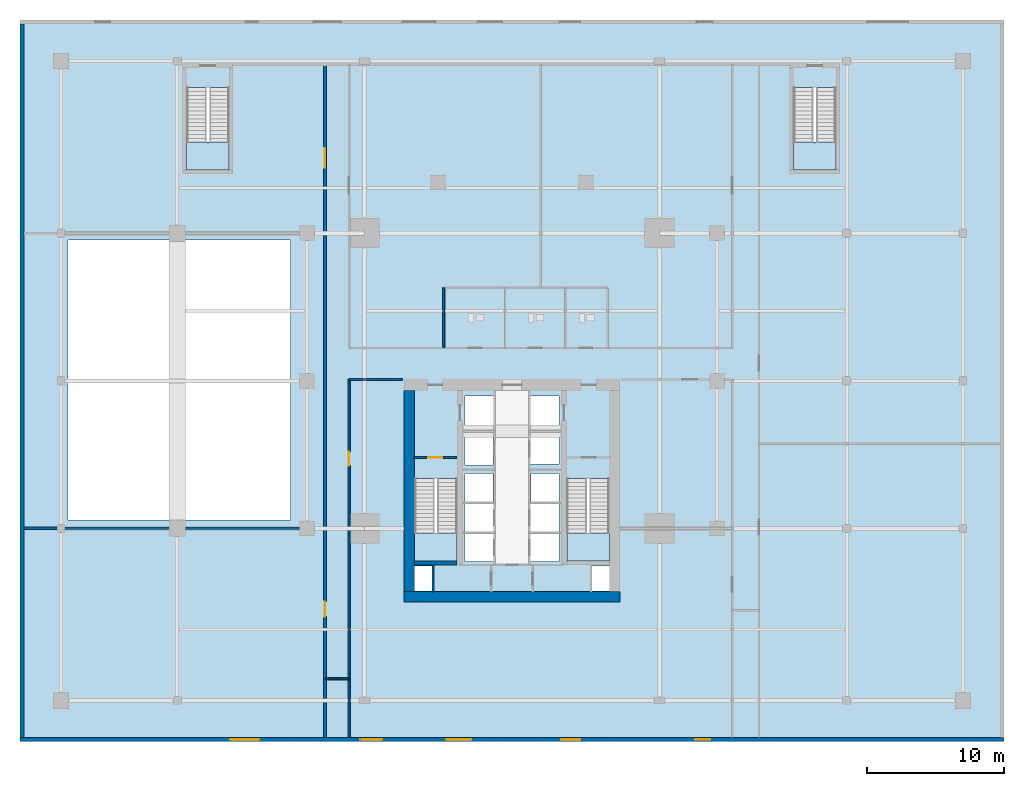
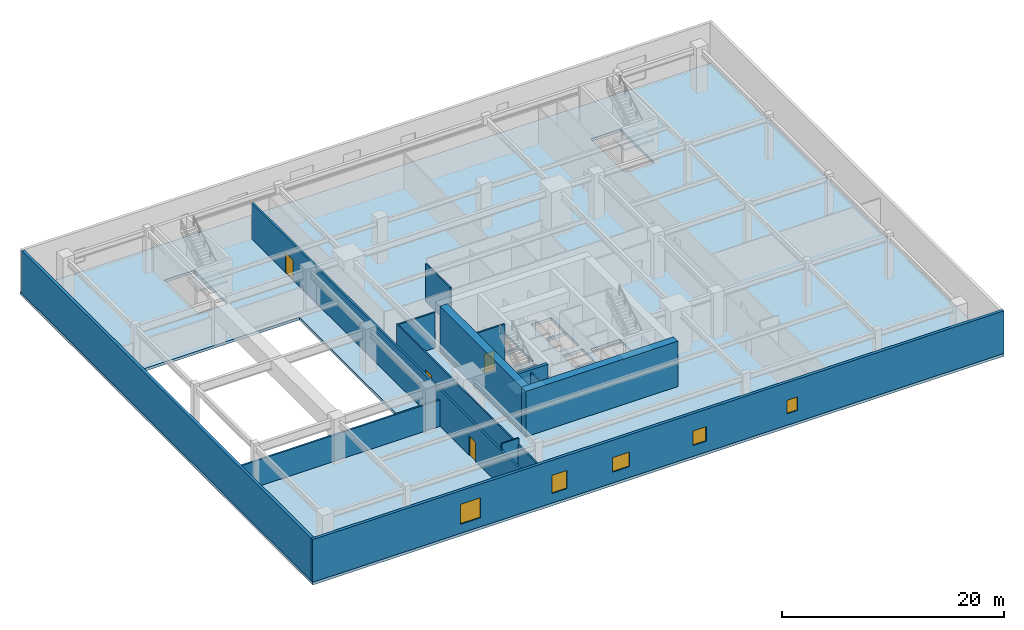
# One storey, part 2 of 9: 13 walls, 5 slabs, 5 windows, 4 doors, 9 openings, 4 elements without a shape of their own.
"""IFC4 building model written with IfcOpenShell, lengths in metres."""

from ifc_helpers import new_model, si_unit, direction, frame, frame_2d, origin, place, context, subcontext, project, spatial, polyline, rectangle, outline, extrude, material, layer, layer_set, type_object, element, fill, aggregate, save


model = new_model("IFC4")

# Units and contexts
model_context = context("Model", 3, precision=1e-05, world=origin(), true_north=direction((0.0, 1.0)))
body_context = subcontext(model_context, "Body", "Model", "MODEL_VIEW")
ifc_project = project(units=[si_unit("LENGTHUNIT", "METRE"), si_unit("AREAUNIT", "SQUARE_METRE"), si_unit("VOLUMEUNIT", "CUBIC_METRE"), si_unit("PLANEANGLEUNIT", "RADIAN"), si_unit("MASSUNIT", "GRAM", prefix="KILO")], contexts=[model_context])

# Site, building, storey
site_placement = place(None, origin())
site = spatial("IfcSite", under=ifc_project, at=site_placement, CompositionType="ELEMENT")
building_placement = place(site_placement, origin())
building = spatial("IfcBuilding", under=site, at=building_placement, Name="Krantzveldt Concourse Tower", CompositionType="ELEMENT")
storey_placement = place(building_placement, frame((0.0, 0.0, 10.39990234375)))
storey = spatial("IfcBuildingStorey", under=building, at=storey_placement, Name="L02", CompositionType="ELEMENT", Elevation=10.39990234375)

# Stair, slab
ifc_material_1 = material(Name="Precast concrete C40/50", Category="concrete")
stair_type = type_object("IfcStairType", Name="STR-CORE-DOGLEG", PredefinedType="HALF_TURN_STAIR", material=ifc_material_1)
stair_1_placement = place(storey_placement, origin())
stair_1 = element("IfcStair", 1, at=stair_1_placement, inside=storey, type_object=stair_type, Name="L02 Protected Escape Stair ST-1", PredefinedType="HALF_TURN_STAIR")
ifc_layer_1 = layer(ifc_material_1, 0.199951171875, Name="Precast concrete C40/50", Category="concrete")
ifc_layer_set_1 = layer_set([ifc_layer_1], Name="Precast concrete C40/50 (SL-LANDING-200)")
slab_type_1 = type_object("IfcSlabType", Name="SL-LANDING-200", PredefinedType="LANDING", material=ifc_layer_set_1)
slab_1_placement = place(storey_placement, frame((0.0, 0.0, 2.300048828125)))
slab_1 = element("IfcSlab", 2, at=slab_1_placement, type_object=slab_type_1, Name="ST-1 landing 1", PredefinedType="LANDING", context=body_context, shape_type="SweptSolid", body=[
    extrude(outline(polyline([(28.8798828125, 15.56005859375), (28.8798828125, 13.52001953125), (31.97998046875, 13.52001953125), (31.97998046875, 15.56005859375), (28.8798828125, 15.56005859375)])), origin(), (0.0, 0.0, 1.0), 0.199951171875),
])
aggregate(stair_1, [slab_1])

stair_2_placement = place(storey_placement, origin())
stair_2 = element("IfcStair", 3, at=stair_2_placement, inside=storey, type_object=stair_type, Name="L02 Protected Escape Stair ST-2", PredefinedType="HALF_TURN_STAIR")
slab_2_placement = place(storey_placement, frame((0.0, 0.0, 2.300048828125)))
slab_2 = element("IfcSlab", 4, at=slab_2_placement, type_object=slab_type_1, Name="ST-2 landing 1", PredefinedType="LANDING", context=body_context, shape_type="SweptSolid", body=[
    extrude(outline(polyline([(40.02001953125, 15.56005859375), (40.02001953125, 13.52001953125), (43.1201171875, 13.52001953125), (43.1201171875, 15.56005859375), (40.02001953125, 15.56005859375)])), origin(), (0.0, 0.0, 1.0), 0.199951171875),
])
aggregate(stair_2, [slab_2])

stair_3_placement = place(storey_placement, origin())
stair_3 = element("IfcStair", 5, at=stair_3_placement, inside=storey, type_object=stair_type, Name="L02 Podium Escape Stair ST-3", PredefinedType="HALF_TURN_STAIR")
slab_3_placement = place(storey_placement, frame((0.0, 0.0, 2.300048828125)))
slab_3 = element("IfcSlab", 6, at=slab_3_placement, type_object=slab_type_1, Name="ST-3 landing 1", PredefinedType="LANDING", context=body_context, shape_type="SweptSolid", body=[
    extrude(outline(polyline([(12.199951171875, 44.159912109375), (12.199951171875, 42.1201171875), (15.300048828125, 42.1201171875), (15.300048828125, 44.159912109375), (12.199951171875, 44.159912109375)])), origin(), (0.0, 0.0, 1.0), 0.199951171875),
])
aggregate(stair_3, [slab_3])

stair_4_placement = place(storey_placement, origin())
stair_4 = element("IfcStair", 7, at=stair_4_placement, inside=storey, type_object=stair_type, Name="L02 Podium Escape Stair ST-4", PredefinedType="HALF_TURN_STAIR")
slab_4_placement = place(storey_placement, frame((0.0, 0.0, 2.300048828125)))
slab_4 = element("IfcSlab", 8, at=slab_4_placement, type_object=slab_type_1, Name="ST-4 landing 1", PredefinedType="LANDING", context=body_context, shape_type="SweptSolid", body=[
    extrude(outline(polyline([(56.60009765625, 44.159912109375), (56.60009765625, 42.1201171875), (59.699951171875, 42.1201171875), (59.699951171875, 44.159912109375), (56.60009765625, 44.159912109375)])), origin(), (0.0, 0.0, 1.0), 0.199951171875),
])
aggregate(stair_4, [slab_4])

# Slab
ifc_material_2 = material(Name="Concrete C40/50", Category="concrete")
ifc_layer_2 = layer(ifc_material_2, 0.300048828125, Name="Concrete C40/50", Category="concrete")
ifc_layer_set_2 = layer_set([ifc_layer_2], Name="Concrete C40/50 (SL-SL-POD300)")
slab_type_2 = type_object("IfcSlabType", Name="SL-SL-POD300", PredefinedType="FLOOR", material=ifc_layer_set_2)
slab_5_placement = place(storey_placement, frame((0.0, 0.0, -0.2998046875)))
element("IfcSlab", 9, at=slab_5_placement, inside=storey, type_object=slab_type_2, Name="SL-L02-MAIN", PredefinedType="FLOOR", context=body_context, shape_type="SweptSolid", body=[
    extrude(outline(polyline([(0.0, 0.300048828125), (72.0, 0.300048828125), (72.0, 53.10009765625), (0.0, 53.10009765625), (0.0, 0.300048828125)]), holes=[polyline([(28.8798828125, 19.547607421875), (28.8798828125, 13.52001953125), (31.97998046875, 13.52001953125), (31.97998046875, 19.547607421875), (28.8798828125, 19.547607421875)]), polyline([(40.02001953125, 19.547607421875), (40.02001953125, 13.52001953125), (43.1201171875, 13.52001953125), (43.1201171875, 19.547607421875), (40.02001953125, 19.547607421875)]), polyline([(12.199951171875, 48.1474609375), (12.199951171875, 42.1201171875), (15.300048828125, 42.1201171875), (15.300048828125, 48.1474609375), (12.199951171875, 48.1474609375)]), polyline([(56.60009765625, 48.1474609375), (56.60009765625, 42.1201171875), (59.699951171875, 42.1201171875), (59.699951171875, 48.1474609375), (56.60009765625, 48.1474609375)]), polyline([(32.550048828125, 23.10009765625), (34.64990234375, 23.10009765625), (34.64990234375, 25.60009765625), (32.550048828125, 25.60009765625), (32.550048828125, 23.10009765625)]), polyline([(37.35009765625, 23.10009765625), (39.449951171875, 23.10009765625), (39.449951171875, 25.60009765625), (37.35009765625, 25.60009765625), (37.35009765625, 23.10009765625)]), polyline([(37.35009765625, 20.60009765625), (39.449951171875, 20.60009765625), (39.449951171875, 22.89990234375), (37.35009765625, 22.89990234375), (37.35009765625, 20.60009765625)]), polyline([(32.550048828125, 13.47998046875), (34.64990234375, 13.47998046875), (34.64990234375, 15.47998046875), (32.550048828125, 15.47998046875), (32.550048828125, 13.47998046875)]), polyline([(32.550048828125, 15.679931640625), (34.64990234375, 15.679931640625), (34.64990234375, 17.679931640625), (32.550048828125, 17.679931640625), (32.550048828125, 15.679931640625)]), polyline([(37.35009765625, 13.47998046875), (39.449951171875, 13.47998046875), (39.449951171875, 15.47998046875), (37.35009765625, 15.47998046875), (37.35009765625, 13.47998046875)]), polyline([(37.35009765625, 15.679931640625), (39.449951171875, 15.679931640625), (39.449951171875, 17.679931640625), (37.35009765625, 17.679931640625), (37.35009765625, 15.679931640625)]), polyline([(32.550048828125, 20.550048828125), (34.6201171875, 20.550048828125), (34.6201171875, 22.89990234375), (32.550048828125, 22.89990234375), (32.550048828125, 20.550048828125)]), polyline([(32.550048828125, 17.8798828125), (34.6201171875, 17.8798828125), (34.6201171875, 19.919921875), (32.550048828125, 19.919921875), (32.550048828125, 17.8798828125)]), polyline([(37.3798828125, 17.8798828125), (39.449951171875, 17.8798828125), (39.449951171875, 19.919921875), (37.3798828125, 19.919921875), (37.3798828125, 17.8798828125)]), polyline([(28.8798828125, 11.320068359375), (30.139892578125, 11.320068359375), (30.139892578125, 13.159912109375), (28.8798828125, 13.159912109375), (28.8798828125, 11.320068359375)]), polyline([(41.860107421875, 11.320068359375), (43.1201171875, 11.320068359375), (43.1201171875, 13.159912109375), (41.860107421875, 13.159912109375), (41.860107421875, 11.320068359375)]), polyline([(3.5, 16.5), (19.800048828125, 16.5), (19.800048828125, 37.0), (3.5, 37.0), (3.5, 16.5)])]), origin(), (0.0, 0.0, 1.0), 0.2998046875),
])

# Wall, openings, windows
ifc_layer_3 = layer(ifc_material_2, 0.300048828125, Name="Concrete C40/50", Category="concrete")
ifc_layer_set_3 = layer_set([ifc_layer_3], Name="Concrete C40/50 (WL-EXT-GRAN300)")
wall_type_1 = type_object("IfcWallType", Name="WL-EXT-GRAN300", PredefinedType="SOLIDWALL", material=ifc_layer_set_3)
wall_1_placement = place(storey_placement, frame((72.0, 0.449951171875, 0.0), z_axis=(0.0, 0.0, 1.0), x_axis=(-1.0, 0.0, 0.0)))
wall_1 = element("IfcWall", 10, at=wall_1_placement, inside=storey, type_object=wall_type_1, Name="EW-L02-S", PredefinedType="SOLIDWALL", context=body_context, shape_type="SweptSolid", body=[
    extrude(rectangle(XDim=72.0, YDim=0.300048828125, at=frame_2d((36.0, 0.0))), origin(), (0.0, 0.0, 1.0), 4.7001953125),
])
opening_1_placement = place(wall_1_placement, frame((54.5, 0.0, 1.0)))
opening_1 = element("IfcOpeningElement", 11, at=opening_1_placement, cuts=wall_1, Name="Opening W-POD-2100x2200", PredefinedType="OPENING", context=body_context, shape_type="SweptSolid", body=[
    extrude(rectangle(XDim=2.10009765625, YDim=2.199951171875, at=frame_2d((1.050048828125, 1.10009765625))), frame((0.0, 0.16015625, 0.0), z_axis=(0.0, -1.0, 0.0), x_axis=(1.0, 0.0, 0.0)), (0.0, 0.0, 1.0), 0.320068359375),
])
opening_2_placement = place(wall_1_placement, frame((45.5, 0.0, 1.050048828125)))
opening_2 = element("IfcOpeningElement", 12, at=opening_2_placement, cuts=wall_1, Name="Opening W-POD-1600x2000", PredefinedType="OPENING", context=body_context, shape_type="SweptSolid", body=[
    extrude(rectangle(XDim=1.60009765625, YDim=2.0, at=frame_2d((0.800048828125, 1.0))), frame((0.0, 0.16015625, 0.0), z_axis=(0.0, -1.0, 0.0), x_axis=(1.0, 0.0, 0.0)), (0.0, 0.0, 1.0), 0.320068359375),
])
opening_3_placement = place(wall_1_placement, frame((39.0, 0.0, 1.199951171875)))
opening_3 = element("IfcOpeningElement", 13, at=opening_3_placement, cuts=wall_1, Name="Opening W-POD-1800x1600", PredefinedType="OPENING", context=body_context, shape_type="SweptSolid", body=[
    extrude(rectangle(XDim=1.800048828125, YDim=1.60009765625, at=frame_2d((0.89990234375, 0.800048828125))), frame((0.0, 0.16015625, 0.0), z_axis=(0.0, -1.0, 0.0), x_axis=(1.0, 0.0, 0.0)), (0.0, 0.0, 1.0), 0.320068359375),
])
opening_4_placement = place(wall_1_placement, frame((31.0, 0.0, 1.199951171875)))
opening_4 = element("IfcOpeningElement", 14, at=opening_4_placement, cuts=wall_1, Name="Opening W-POD-1400x1600", PredefinedType="OPENING", context=body_context, shape_type="SweptSolid", body=[
    extrude(rectangle(XDim=1.39990234375, YDim=1.60009765625, at=frame_2d((0.699951171875, 0.800048828125))), frame((0.0, 0.16015625, 0.0), z_axis=(0.0, -1.0, 0.0), x_axis=(1.0, 0.0, 0.0)), (0.0, 0.0, 1.0), 0.320068359375),
])
opening_5_placement = place(wall_1_placement, frame((21.5, 0.0, 1.25)))
opening_5 = element("IfcOpeningElement", 15, at=opening_5_placement, cuts=wall_1, Name="Opening W-POD-1100x1500", PredefinedType="OPENING", context=body_context, shape_type="SweptSolid", body=[
    extrude(rectangle(XDim=1.10009765625, YDim=1.5, at=frame_2d((0.550048828125, 0.75))), frame((0.0, 0.16015625, 0.0), z_axis=(0.0, -1.0, 0.0), x_axis=(1.0, 0.0, 0.0)), (0.0, 0.0, 1.0), 0.320068359375),
])
ifc_material_3 = material(Name="Bronze-tinted laminated low-E IGU glass", Category="glass")
window_type_1 = type_object("IfcWindowType", Name="WN-POD-1100x1500", PartitioningType="SINGLE_PANEL", PredefinedType="WINDOW", material=ifc_material_3)
window_1_placement = place(opening_5_placement, origin())
window_1 = element("IfcWindow", 16, at=window_1_placement, inside=storey, type_object=window_type_1, Name="WN-L02-S05", OverallHeight=1.5, OverallWidth=1.10009765625, PartitioningType="SINGLE_PANEL", PredefinedType="WINDOW", context=body_context, shape_type="SweptSolid", body=[
    extrude(rectangle(XDim=1.10009765625, YDim=1.5, at=frame_2d((0.550048828125, 0.75))), frame((0.0, 0.030029296875, 0.0), z_axis=(0.0, -1.0, 0.0), x_axis=(1.0, 0.0, 0.0)), (0.0, 0.0, 1.0), 0.06005859375),
])
fill(opening_5, window_1)
window_type_2 = type_object("IfcWindowType", Name="WN-POD-1400x1600", PartitioningType="SINGLE_PANEL", PredefinedType="WINDOW", material=ifc_material_3)
window_2_placement = place(opening_4_placement, origin())
window_2 = element("IfcWindow", 17, at=window_2_placement, inside=storey, type_object=window_type_2, Name="WN-L02-S04", OverallHeight=1.60009765625, OverallWidth=1.39990234375, PartitioningType="SINGLE_PANEL", PredefinedType="WINDOW", context=body_context, shape_type="SweptSolid", body=[
    extrude(rectangle(XDim=1.39990234375, YDim=1.60009765625, at=frame_2d((0.699951171875, 0.800048828125))), frame((0.0, 0.030029296875, 0.0), z_axis=(0.0, -1.0, 0.0), x_axis=(1.0, 0.0, 0.0)), (0.0, 0.0, 1.0), 0.06005859375),
])
fill(opening_4, window_2)
window_type_3 = type_object("IfcWindowType", Name="WN-POD-1600x2000", PartitioningType="SINGLE_PANEL", PredefinedType="WINDOW", material=ifc_material_3)
window_3_placement = place(opening_2_placement, origin())
window_3 = element("IfcWindow", 18, at=window_3_placement, inside=storey, type_object=window_type_3, Name="WN-L02-S02", OverallHeight=2.0, OverallWidth=1.60009765625, PartitioningType="SINGLE_PANEL", PredefinedType="WINDOW", context=body_context, shape_type="SweptSolid", body=[
    extrude(rectangle(XDim=1.60009765625, YDim=2.0, at=frame_2d((0.800048828125, 1.0))), frame((0.0, 0.030029296875, 0.0), z_axis=(0.0, -1.0, 0.0), x_axis=(1.0, 0.0, 0.0)), (0.0, 0.0, 1.0), 0.06005859375),
])
fill(opening_2, window_3)
window_type_4 = type_object("IfcWindowType", Name="WN-POD-1800x1600", PartitioningType="SINGLE_PANEL", PredefinedType="WINDOW", material=ifc_material_3)
window_4_placement = place(opening_3_placement, origin())
window_4 = element("IfcWindow", 19, at=window_4_placement, inside=storey, type_object=window_type_4, Name="WN-L02-S03", OverallHeight=1.60009765625, OverallWidth=1.800048828125, PartitioningType="SINGLE_PANEL", PredefinedType="WINDOW", context=body_context, shape_type="SweptSolid", body=[
    extrude(rectangle(XDim=1.800048828125, YDim=1.60009765625, at=frame_2d((0.89990234375, 0.800048828125))), frame((0.0, 0.030029296875, 0.0), z_axis=(0.0, -1.0, 0.0), x_axis=(1.0, 0.0, 0.0)), (0.0, 0.0, 1.0), 0.06005859375),
])
fill(opening_3, window_4)
window_type_5 = type_object("IfcWindowType", Name="WN-POD-2100x2200", PartitioningType="SINGLE_PANEL", PredefinedType="WINDOW", material=ifc_material_3)
window_5_placement = place(opening_1_placement, origin())
window_5 = element("IfcWindow", 20, at=window_5_placement, inside=storey, type_object=window_type_5, Name="WN-L02-S01", OverallHeight=2.199951171875, OverallWidth=2.10009765625, PartitioningType="SINGLE_PANEL", PredefinedType="WINDOW", context=body_context, shape_type="SweptSolid", body=[
    extrude(rectangle(XDim=2.10009765625, YDim=2.199951171875, at=frame_2d((1.050048828125, 1.10009765625))), frame((0.0, 0.030029296875, 0.0), z_axis=(0.0, -1.0, 0.0), x_axis=(1.0, 0.0, 0.0)), (0.0, 0.0, 1.0), 0.06005859375),
])
fill(opening_1, window_5)

# Walls
wall_2_placement = place(storey_placement, frame((0.14990234375, 0.60009765625, 0.0), z_axis=(0.0, 0.0, 1.0), x_axis=(0.0, 1.0, 0.0)))
element("IfcWall", 21, at=wall_2_placement, inside=storey, type_object=wall_type_1, Name="EW-L02-W", PredefinedType="SOLIDWALL", context=body_context, shape_type="SweptSolid", body=[
    extrude(rectangle(XDim=52.199951171875, YDim=0.300048828125, at=frame_2d((26.10009765625, 0.0))), origin(), (0.0, 0.0, 1.0), 4.7001953125),
])
ifc_material_4 = material(Name="Fire-rated gypsum plasterboard on steel stud", Category="steel")
ifc_layer_4 = layer(ifc_material_4, 0.139892578125, Name="Fire-rated gypsum plasterboard on steel stud", Category="steel")
ifc_layer_set_4 = layer_set([ifc_layer_4], Name="Fire-rated gypsum plasterboard on steel stud (WL-PART-140)")
wall_type_2 = type_object("IfcWallType", Name="WL-PART-140", PredefinedType="PARTITIONING", material=ifc_layer_set_4)
wall_3_placement = place(storey_placement, frame((31.0, 29.10009765625, 0.0), z_axis=(0.0, 0.0, 1.0), x_axis=(0.0, 1.0, 0.0)))
element("IfcWall", 22, at=wall_3_placement, inside=storey, type_object=wall_type_2, Name="WP-L02-WCW", PredefinedType="PARTITIONING", context=body_context, shape_type="SweptSolid", body=[
    extrude(rectangle(XDim=4.39990234375, YDim=0.139892578125, at=frame_2d((2.199951171875, 0.0))), origin(), (0.0, 0.0, 1.0), 4.150146484375),
])

# Wall, opening, door
wall_4_placement = place(storey_placement, frame((24.080078125, 0.60498046875, 0.0), z_axis=(0.0, 0.0, 1.0), x_axis=(0.0, 1.0, 0.0)))
wall_4 = element("IfcWall", 23, at=wall_4_placement, inside=storey, type_object=wall_type_2, Name="WP-L02-SWL", PredefinedType="PARTITIONING", context=body_context, shape_type="SweptSolid", body=[
    extrude(rectangle(XDim=26.195068359375, YDim=0.139892578125, at=frame_2d((13.09765625, 0.0))), origin(), (0.0, 0.0, 1.0), 4.0),
])
opening_6_placement = place(wall_4_placement, frame((19.8701171875, 0.0, 0.0)))
opening_6 = element("IfcOpeningElement", 24, at=opening_6_placement, cuts=wall_4, Name="Opening D-IN105", PredefinedType="OPENING", context=body_context, shape_type="SweptSolid", body=[
    extrude(rectangle(XDim=1.050048828125, YDim=2.14990234375, at=frame_2d((0.52490234375, 1.074951171875))), frame((0.0, 0.080078125, 0.0), z_axis=(0.0, -1.0, 0.0), x_axis=(1.0, 0.0, 0.0)), (0.0, 0.0, 1.0), 0.159912109375),
])
ifc_material_5 = material(Name="Hardwood timber", Category="wood")
door_type_1 = type_object("IfcDoorType", Name="DR-INT-1050", OperationType="SINGLE_SWING_LEFT", PredefinedType="DOOR", material=ifc_material_5)
door_1_placement = place(opening_6_placement, origin())
door_1 = element("IfcDoor", 25, at=door_1_placement, inside=storey, type_object=door_type_1, Name="DR-L02-SWK", OperationType="SINGLE_SWING_RIGHT", OverallHeight=2.14990234375, OverallWidth=1.050048828125, PredefinedType="DOOR", context=body_context, shape_type="SweptSolid", body=[
    extrude(rectangle(XDim=1.050048828125, YDim=2.14990234375, at=frame_2d((0.52490234375, 1.074951171875))), frame((0.0, 0.02490234375, 0.0), z_axis=(0.0, -1.0, 0.0), x_axis=(1.0, 0.0, 0.0)), (0.0, 0.0, 1.0), 0.050048828125),
])
fill(opening_6, door_1)

# Walls
wall_5_placement = place(storey_placement, frame((22.320068359375, 4.89990234375, 0.0), z_axis=(0.0, 0.0, 1.0), x_axis=(1.0, 0.0, 0.0)))
element("IfcWall", 26, at=wall_5_placement, inside=storey, type_object=wall_type_2, Name="WP-L02-SWB", PredefinedType="PARTITIONING", context=body_context, shape_type="SweptSolid", body=[
    extrude(rectangle(XDim=1.760009765625, YDim=0.139892578125, at=frame_2d((0.8798828125, 0.0))), origin(), (0.0, 0.0, 1.0), 4.7001953125),
])
ifc_layer_5 = layer(ifc_material_4, 0.159912109375, Name="Fire-rated gypsum plasterboard on steel stud", Category="steel")
ifc_layer_set_5 = layer_set([ifc_layer_5], Name="Fire-rated gypsum plasterboard on steel stud (WL-PART-160)")
wall_type_3 = type_object("IfcWallType", Name="WL-PART-160", PredefinedType="PARTITIONING", material=ifc_layer_set_5)
wall_6_placement = place(storey_placement, frame((24.080078125, 26.800048828125, 0.0), z_axis=(0.0, 0.0, 1.0), x_axis=(1.0, 0.0, 0.0)))
element("IfcWall", 27, at=wall_6_placement, inside=storey, type_object=wall_type_3, Name="WP-L02-S1", PredefinedType="PARTITIONING", context=body_context, shape_type="SweptSolid", body=[
    extrude(rectangle(XDim=3.919921875, YDim=0.159912109375, at=frame_2d((1.9599609375, 0.0))), origin(), (0.0, 0.0, 1.0), 3.900146484375),
])
ifc_layer_6 = layer(ifc_material_4, 0.139892578125, Name="Fire-rated gypsum plasterboard on steel stud", Category="steel")
ifc_layer_set_6 = layer_set([ifc_layer_6], Name="Fire-rated gypsum plasterboard on steel stud (WL-PART-FR140)")
wall_type_4 = type_object("IfcWallType", Name="WL-PART-FR140", PredefinedType="PARTITIONING", material=ifc_layer_set_6)
wall_7_placement = place(storey_placement, frame((30.219970703125, 11.25, 0.0), z_axis=(0.0, 0.0, 1.0), x_axis=(0.0, 1.0, 0.0)))
element("IfcWall", 28, at=wall_7_placement, inside=storey, type_object=wall_type_4, Name="WP-L02-RSW", PredefinedType="PARTITIONING", context=body_context, shape_type="SweptSolid", body=[
    extrude(rectangle(XDim=1.969970703125, YDim=0.1201171875, at=frame_2d((0.98486328125, 0.0))), origin(), (0.0, 0.0, 1.0), 4.7001953125),
])

# Wall, opening, door
ifc_layer_7 = layer(ifc_material_4, 0.159912109375, Name="Fire-rated gypsum plasterboard on steel stud", Category="steel")
ifc_layer_set_7 = layer_set([ifc_layer_7], Name="Fire-rated gypsum plasterboard on steel stud (WL-PART-FR160)")
wall_type_5 = type_object("IfcWallType", Name="WL-PART-FR160", PredefinedType="PARTITIONING", material=ifc_layer_set_7)
wall_8_placement = place(storey_placement, frame((28.800048828125, 21.080078125, 0.0), z_axis=(0.0, 0.0, 1.0), x_axis=(1.0, 0.0, 0.0)))
wall_8 = element("IfcWall", 29, at=wall_8_placement, inside=storey, type_object=wall_type_5, Name="WP-L02-ST1", PredefinedType="PARTITIONING", context=body_context, shape_type="SweptSolid", body=[
    extrude(rectangle(XDim=3.159912109375, YDim=0.159912109375, at=frame_2d((1.580078125, 0.0))), origin(), (0.0, 0.0, 1.0), 4.7001953125),
])
opening_7_placement = place(wall_8_placement, frame((1.054931640625, 0.0, 0.0)))
opening_7 = element("IfcOpeningElement", 30, at=opening_7_placement, cuts=wall_8, Name="Opening D-FD105", PredefinedType="OPENING", context=body_context, shape_type="SweptSolid", body=[
    extrude(rectangle(XDim=1.050048828125, YDim=2.10009765625, at=frame_2d((0.52490234375, 1.050048828125))), frame((0.0, 0.08984375, 0.0), z_axis=(0.0, -1.0, 0.0), x_axis=(1.0, 0.0, 0.0)), (0.0, 0.0, 1.0), 0.179931640625),
])
ifc_material_6 = material(Name="Galvanised steel", Category="steel")
door_type_2 = type_object("IfcDoorType", Name="DR-FD120-1050", OperationType="SINGLE_SWING_LEFT", PredefinedType="DOOR", material=ifc_material_6)
door_2_placement = place(opening_7_placement, origin())
door_2 = element("IfcDoor", 31, at=door_2_placement, inside=storey, type_object=door_type_2, Name="DR-L02-ST1", OperationType="SINGLE_SWING_RIGHT", OverallHeight=2.10009765625, OverallWidth=1.050048828125, PredefinedType="DOOR", context=body_context, shape_type="SweptSolid", body=[
    extrude(rectangle(XDim=1.050048828125, YDim=2.10009765625, at=frame_2d((0.52490234375, 1.050048828125))), frame((0.0, 0.02490234375, 0.0), z_axis=(0.0, -1.0, 0.0), x_axis=(1.0, 0.0, 0.0)), (0.0, 0.0, 1.0), 0.050048828125),
])
fill(opening_7, door_2)

# Wall
ifc_layer_8 = layer(ifc_material_4, 0.179931640625, Name="Fire-rated gypsum plasterboard on steel stud", Category="steel")
ifc_layer_set_8 = layer_set([ifc_layer_8], Name="Fire-rated gypsum plasterboard on steel stud (WL-PART-FR180)")
wall_type_6 = type_object("IfcWallType", Name="WL-PART-FR180", PredefinedType="PARTITIONING", material=ifc_layer_set_8)
wall_9_placement = place(storey_placement, frame((0.304931640625, 15.89990234375, 0.0), z_axis=(0.0, 0.0, 1.0), x_axis=(1.0, 0.0, 0.0)))
element("IfcWall", 32, at=wall_9_placement, inside=storey, type_object=wall_type_6, Name="WP-L02-AVN", PredefinedType="PARTITIONING", context=body_context, shape_type="SweptSolid", body=[
    extrude(rectangle(XDim=22.01513671875, YDim=0.179931640625, at=frame_2d((11.007568359375, 0.0))), origin(), (0.0, 0.0, 1.0), 2.900146484375),
])

# Wall, openings, doors
ifc_layer_9 = layer(ifc_material_4, 0.199951171875, Name="Fire-rated gypsum plasterboard on steel stud", Category="steel")
ifc_layer_set_9 = layer_set([ifc_layer_9], Name="Fire-rated gypsum plasterboard on steel stud (WL-PART-FR200)")
wall_type_7 = type_object("IfcWallType", Name="WL-PART-FR200", PredefinedType="PARTITIONING", material=ifc_layer_set_9)
wall_10_placement = place(storey_placement, frame((22.320068359375, 0.60498046875, 0.0), z_axis=(0.0, 0.0, 1.0), x_axis=(0.0, 1.0, 0.0)))
wall_10 = element("IfcWall", 33, at=wall_10_placement, inside=storey, type_object=wall_type_7, Name="WP-L02-CWL1", PredefinedType="PARTITIONING", context=body_context, shape_type="SweptSolid", body=[
    extrude(rectangle(XDim=49.215087890625, YDim=0.199951171875, at=frame_2d((24.607421875, 0.0))), origin(), (0.0, 0.0, 1.0), 4.0),
])
opening_8_placement = place(wall_10_placement, frame((41.695068359375, 0.0, 0.0)))
opening_8 = element("IfcOpeningElement", 34, at=opening_8_placement, cuts=wall_10, Name="Opening D-DB140", PredefinedType="OPENING", context=body_context, shape_type="SweptSolid", body=[
    extrude(rectangle(XDim=1.39990234375, YDim=2.199951171875, at=frame_2d((0.699951171875, 1.10009765625))), frame((0.0, 0.10986328125, 0.0), z_axis=(0.0, -1.0, 0.0), x_axis=(1.0, 0.0, 0.0)), (0.0, 0.0, 1.0), 0.219970703125),
])
opening_9_placement = place(wall_10_placement, frame((8.844970703125, 0.0, 0.0)))
opening_9 = element("IfcOpeningElement", 35, at=opening_9_placement, cuts=wall_10, Name="Opening D-FD110", PredefinedType="OPENING", context=body_context, shape_type="SweptSolid", body=[
    extrude(rectangle(XDim=1.10009765625, YDim=2.14990234375, at=frame_2d((0.550048828125, 1.074951171875))), frame((0.0, 0.10986328125, 0.0), z_axis=(0.0, -1.0, 0.0), x_axis=(1.0, 0.0, 0.0)), (0.0, 0.0, 1.0), 0.219970703125),
])
ifc_material_7 = material(Name="Anodised aluminium 6063-T6", Category="aluminium")
door_type_3 = type_object("IfcDoorType", Name="DR-DBL-1400", OperationType="DOUBLE_DOOR_SINGLE_SWING", PredefinedType="DOOR", material=ifc_material_7)
door_3_placement = place(opening_8_placement, origin())
door_3 = element("IfcDoor", 36, at=door_3_placement, inside=storey, type_object=door_type_3, Name="DR-L02-BAL", OperationType="DOUBLE_DOOR_SINGLE_SWING", OverallHeight=2.199951171875, OverallWidth=1.39990234375, PredefinedType="DOOR", context=body_context, shape_type="SweptSolid", body=[
    extrude(rectangle(XDim=1.39990234375, YDim=2.199951171875, at=frame_2d((0.699951171875, 1.10009765625))), frame((0.0, 0.02490234375, 0.0), z_axis=(0.0, -1.0, 0.0), x_axis=(1.0, 0.0, 0.0)), (0.0, 0.0, 1.0), 0.050048828125),
])
fill(opening_8, door_3)
door_type_4 = type_object("IfcDoorType", Name="DR-FD120-1100", OperationType="SINGLE_SWING_LEFT", PredefinedType="DOOR", material=ifc_material_6)
door_4_placement = place(opening_9_placement, origin())
door_4 = element("IfcDoor", 37, at=door_4_placement, inside=storey, type_object=door_type_4, Name="DR-L02-AV", OperationType="SINGLE_SWING_LEFT", OverallHeight=2.14990234375, OverallWidth=1.10009765625, PredefinedType="DOOR", context=body_context, shape_type="SweptSolid", body=[
    extrude(rectangle(XDim=1.10009765625, YDim=2.14990234375, at=frame_2d((0.550048828125, 1.074951171875))), frame((0.0, 0.02490234375, 0.0), z_axis=(0.0, -1.0, 0.0), x_axis=(1.0, 0.0, 0.0)), (0.0, 0.0, 1.0), 0.050048828125),
])
fill(opening_9, door_4)

# Walls
ifc_material_8 = material(Name="Concrete C50/60", Category="concrete")
ifc_layer_10 = layer(ifc_material_8, 0.300048828125, Name="Concrete C50/60", Category="concrete")
ifc_layer_set_10 = layer_set([ifc_layer_10], Name="Concrete C50/60 (WL-SHEAR-300)")
wall_type_8 = type_object("IfcWallType", Name="WL-SHEAR-300", PredefinedType="SHEAR", material=ifc_layer_set_10)
wall_11_placement = place(storey_placement, frame((28.8798828125, 13.3701171875, 0.0), z_axis=(0.0, 0.0, 1.0), x_axis=(1.0, 0.0, 0.0)))
element("IfcWall", 38, at=wall_11_placement, inside=storey, type_object=wall_type_8, Name="CW-L02-ST1S", PredefinedType="SHEAR", context=body_context, shape_type="SweptSolid", body=[
    extrude(rectangle(XDim=3.10009765625, YDim=0.300048828125, at=frame_2d((1.550048828125, 0.0))), origin(), (0.0, 0.0, 1.0), 5.0),
])
ifc_material_9 = material(Name="Concrete C60/75", Category="concrete")
ifc_layer_11 = layer(ifc_material_9, 0.800048828125, Name="Concrete C60/75", Category="concrete")
ifc_layer_set_11 = layer_set([ifc_layer_11], Name="Concrete C60/75 (WL-SHEAR-800)")
wall_type_9 = type_object("IfcWallType", Name="WL-SHEAR-800", PredefinedType="SHEAR", material=ifc_layer_set_11)
wall_12_placement = place(storey_placement, frame((28.080078125, 10.89990234375, 0.0), z_axis=(0.0, 0.0, 1.0), x_axis=(1.0, 0.0, 0.0)))
element("IfcWall", 39, at=wall_12_placement, inside=storey, type_object=wall_type_9, Name="CW-L02-S", PredefinedType="SHEAR", context=body_context, shape_type="SweptSolid", body=[
    extrude(rectangle(XDim=15.83984375, YDim=0.800048828125, at=frame_2d((7.919921875, 0.0))), origin(), (0.0, 0.0, 1.0), 5.0),
])
wall_13_placement = place(storey_placement, frame((28.47998046875, 11.300048828125, 0.0), z_axis=(0.0, 0.0, 1.0), x_axis=(0.0, 1.0, 0.0)))
element("IfcWall", 40, at=wall_13_placement, inside=storey, type_object=wall_type_9, Name="CW-L02-W", PredefinedType="SHEAR", context=body_context, shape_type="SweptSolid", body=[
    extrude(rectangle(XDim=14.699951171875, YDim=0.800048828125, at=frame_2d((7.35009765625, 0.0))), origin(), (0.0, 0.0, 1.0), 5.0),
])

save(model, "model.ifc")
